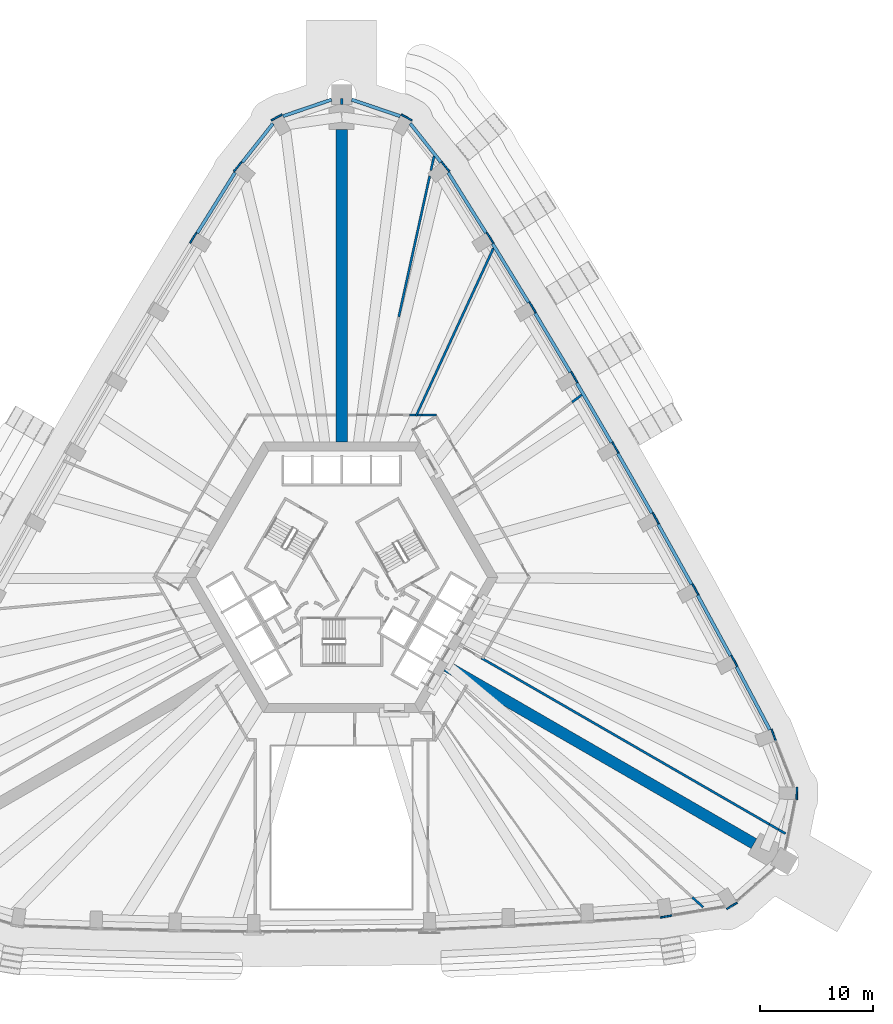
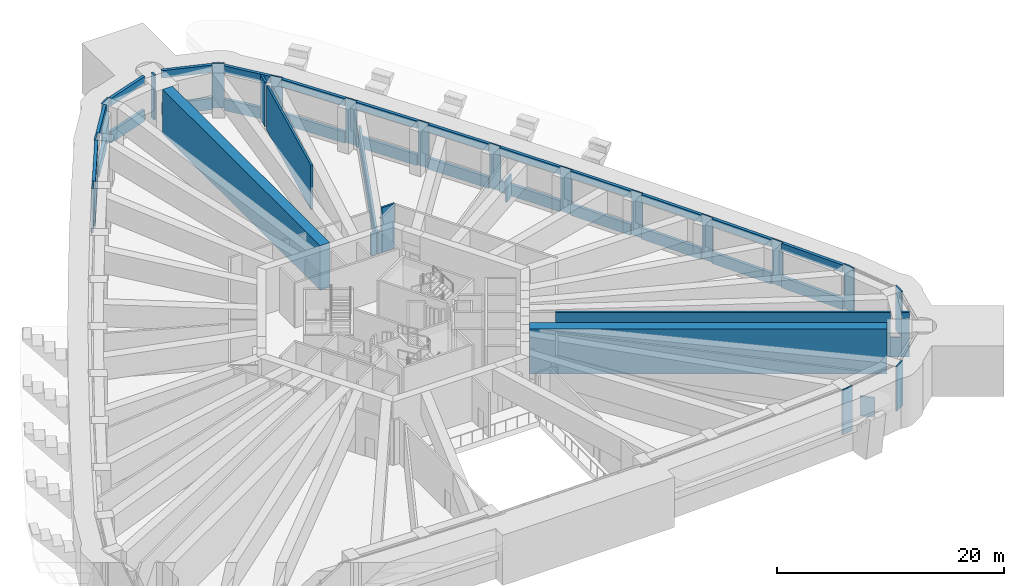
# One storey, part 13 of 22: 56 walls.
"""IFC4 building model written with IfcOpenShell, lengths in metres."""

import ifcopenshell
import ifcopenshell.guid

model = None  # the IFC model being written
_history = None  # IfcOwnerHistory: only IFC2X3 demands one
_inside = {}  # id of a spatial element -> (the spatial element, [elements in it])
_under = {}  # id of a project, library or spatial element -> (it, [spatial elements below it])
_declared = {}  # id of a project -> (the project, [libraries it declares])
_typed = {}  # id of a type object -> (the type object, [elements of that type])
_made_of = {}  # id of a material, layer set ... -> (it, [elements and type objects made of it])


def new_model(schema):
    """Start an empty IFC model of exactly this schema.

    Asked for "IFC4X3", IfcOpenShell would pick the latest addendum, in which some entities
    have other attributes; the version numbers below select the first issue.
    IFC2X3 requires an IfcOwnerHistory on every rooted entity: one is made here for all.
    """
    global model, _history
    if schema == "IFC4X3":
        model = ifcopenshell.file(schema_version=(4, 3, 0, 0))
    else:
        model = ifcopenshell.file(schema=schema)
    _inside.clear()
    _under.clear()
    _declared.clear()
    _typed.clear()
    _made_of.clear()
    _history = None
    if model.schema == "IFC2X3":
        org = make("IfcOrganization", Name="unknown")
        user = make(
            "IfcPersonAndOrganization",
            ThePerson=make("IfcPerson", FamilyName="unknown"),
            TheOrganization=org,
        )
        app = make(
            "IfcApplication",
            ApplicationDeveloper=org,
            Version="unknown",
            ApplicationFullName="unknown",
            ApplicationIdentifier="unknown",
        )
        _history = make(
            "IfcOwnerHistory",
            OwningUser=user,
            OwningApplication=app,
            ChangeAction="ADDED",
            CreationDate=0,
        )
    return model


def make(cls, **values):
    """One entity of the class cls with the attributes given. An attribute that is None is left unset."""
    return model.create_entity(
        cls, **{name: value for name, value in values.items() if value is not None}
    )


def rooted(cls, **values):
    """An entity with a GlobalId (a new one), such as an element, a storey or a relation."""
    return make(cls, GlobalId=ifcopenshell.guid.new(), OwnerHistory=_history, **values)


def si_unit(unit_type, name, prefix=None):
    """IfcSIUnit, for example si_unit("LENGTHUNIT", "METRE", prefix="MILLI")."""
    return make("IfcSIUnit", UnitType=unit_type, Prefix=prefix, Name=name)


def assignment(units):
    """IfcUnitAssignment: the units of a project."""
    return None if units is None else make("IfcUnitAssignment", Units=units)


def point(xyz):
    """IfcCartesianPoint."""
    return None if xyz is None else make("IfcCartesianPoint", Coordinates=xyz)


def direction(xyz):
    """IfcDirection."""
    return None if xyz is None else make("IfcDirection", DirectionRatios=xyz)


def frame(location, z_axis=None, x_axis=None):
    """IfcAxis2Placement3D, a coordinate frame: its origin and axes. An axis left out is left unset."""
    return make(
        "IfcAxis2Placement3D",
        Location=point(location),
        Axis=direction(z_axis),
        RefDirection=direction(x_axis),
    )


def frame_2d(location, x_axis=None):
    """IfcAxis2Placement2D, a coordinate frame in the plane: its origin and x axis."""
    return make(
        "IfcAxis2Placement2D", Location=point(location), RefDirection=direction(x_axis)
    )


def origin():
    """The frame at (0, 0, 0) with its axes left unset."""
    return frame((0.0, 0.0, 0.0))


def place(relative_to, where):
    """IfcLocalPlacement: puts the frame where relative to a parent placement (None: the world)."""
    return make(
        "IfcLocalPlacement", PlacementRelTo=relative_to, RelativePlacement=where
    )


def context(
    kind, dimensions, precision=None, world=None, true_north=None, identifier=None
):
    """IfcGeometricRepresentationContext, for example the 3D "Model" context."""
    return make(
        "IfcGeometricRepresentationContext",
        ContextIdentifier=identifier,
        ContextType=kind,
        CoordinateSpaceDimension=dimensions,
        Precision=precision,
        WorldCoordinateSystem=world,
        TrueNorth=true_north,
    )


def subcontext(parent, identifier, kind, view, scale=None):
    """IfcGeometricRepresentationSubContext, for example "Body" below "Model"."""
    return make(
        "IfcGeometricRepresentationSubContext",
        ContextIdentifier=identifier,
        ContextType=kind,
        ParentContext=parent,
        TargetScale=scale,
        TargetView=view,
    )


def project(units=None, contexts=None):
    """IfcProject with its units and contexts."""
    return rooted(
        "IfcProject",
        Name="project",
        RepresentationContexts=contexts,
        UnitsInContext=assignment(units),
    )


def spatial(cls, under=None, at=None, **own):
    """A site, building, storey or space (cls), placed at a placement, below another one or the project."""
    s = rooted(cls, ObjectPlacement=at, **own)
    if under is not None:
        _under.setdefault(under.id(), (under, []))[1].append(s)
    return s


def profile(cls, at=None, kind="AREA", **sizes):
    """A parametric profile (cls). Its sizes go by their IFC names, for example OverallWidth=200.0."""
    return make(cls, ProfileType=kind, Position=at, **sizes)


def rectangle(**sizes):
    """IfcRectangleProfileDef."""
    return profile("IfcRectangleProfileDef", **sizes)


def extrude(swept, where, along, depth):
    """IfcExtrudedAreaSolid: the profile swept, set in the frame where, extruded along a direction by depth."""
    return make(
        "IfcExtrudedAreaSolid",
        SweptArea=swept,
        Position=where,
        ExtrudedDirection=direction(along),
        Depth=depth,
    )


def shape(context_of_items, identifier, shape_type, items):
    """IfcShapeRepresentation: the items that make up one representation, for example the "Body"."""
    return make(
        "IfcShapeRepresentation",
        ContextOfItems=context_of_items,
        RepresentationIdentifier=identifier,
        RepresentationType=shape_type,
        Items=items,
    )


def material(Name=None, Category=None):
    """IfcMaterial."""
    return make("IfcMaterial", Name=Name, Category=Category)


def layer(
    of_material, thickness, ventilated=None, Name=None, Category=None, Priority=None
):
    """IfcMaterialLayer: one layer of a wall or slab, of a material (None: an air gap)."""
    return make(
        "IfcMaterialLayer",
        Material=of_material,
        LayerThickness=thickness,
        IsVentilated=ventilated,
        Name=Name,
        Category=Category,
        Priority=Priority,
    )


def layer_set(layers, Name=None):
    """IfcMaterialLayerSet."""
    return make("IfcMaterialLayerSet", MaterialLayers=layers, LayerSetName=Name)


def made_of(thing, what):
    """Note that an element or type object is made of a material, layer set ...; save() writes the relation."""
    if what is not None:
        _made_of.setdefault(what.id(), (what, []))[1].append(thing)
    return thing


def type_object(cls, material=None, **own):
    """A type object (cls), such as IfcWallType, which elements share."""
    return made_of(rooted(cls, **own), material)


def element(
    cls,
    number,
    at=None,
    inside=None,
    cuts=None,
    type_object=None,
    material=None,
    context=None,
    identifier="Body",
    shape_type=None,
    held_by="IfcProductDefinitionShape",
    body=None,
    shapes=None,
    **own,
):
    """One element of the class cls, such as IfcWall. Its Tag is "e" and its number.

    at: its placement. inside: the storey or other place that contains it. cuts: it is an
    opening in that element (IfcRelVoidsElement). A single representation is given by context,
    identifier, shape_type and body (its items); several are given by shapes. held_by: the class
    of the entity that holds the representations. save() writes the other relations.
    """
    e = rooted(cls, Tag="e%d" % number, ObjectPlacement=at, **own)
    if body is not None:
        shapes = [shape(context, identifier, shape_type, body)]
    if shapes is not None:
        e.Representation = make(held_by, Representations=shapes)
    if inside is not None:
        _inside.setdefault(inside.id(), (inside, []))[1].append(e)
    if cuts is not None:
        rooted(
            "IfcRelVoidsElement", RelatingBuildingElement=cuts, RelatedOpeningElement=e
        )
    if type_object is not None:
        _typed.setdefault(type_object.id(), (type_object, []))[1].append(e)
    return made_of(e, material)


def aggregate(whole, parts):
    """IfcRelAggregates: a whole, such as a stair, and the parts it consists of."""
    return rooted("IfcRelAggregates", RelatingObject=whole, RelatedObjects=parts)


def save(model, path):
    """Write the relations noted so far, then the file.

    IfcRelAggregates (storeys below a building ...), IfcRelContainedInSpatialStructure (elements
    in a storey), IfcRelDefinesByType, IfcRelAssociatesMaterial and IfcRelDeclares: one each for
    every whole, place, type object, material and project.
    """
    for whole, parts in _under.values():
        aggregate(whole, parts)
    for where, things in _inside.values():
        rooted(
            "IfcRelContainedInSpatialStructure",
            RelatedElements=things,
            RelatingStructure=where,
        )
    for kind, things in _typed.values():
        rooted("IfcRelDefinesByType", RelatedObjects=things, RelatingType=kind)
    for what, things in _made_of.values():
        rooted("IfcRelAssociatesMaterial", RelatedObjects=things, RelatingMaterial=what)
    for by, libraries in _declared.values():
        rooted("IfcRelDeclares", RelatingContext=by, RelatedDefinitions=libraries)
    model.write(path)


model = new_model("IFC4")

# Units and contexts
model_context = context("Model", 3, precision=1e-05, world=origin(), true_north=direction((0.0, 1.0)))
body_context = subcontext(model_context, "Body", "Model", "MODEL_VIEW")
ifc_project = project(units=[si_unit("LENGTHUNIT", "METRE"), si_unit("AREAUNIT", "SQUARE_METRE"), si_unit("VOLUMEUNIT", "CUBIC_METRE"), si_unit("PLANEANGLEUNIT", "RADIAN"), si_unit("MASSUNIT", "GRAM", prefix="KILO")], contexts=[model_context])

# Site, building, storey
site_placement = place(None, origin())
site = spatial("IfcSite", under=ifc_project, at=site_placement, CompositionType="ELEMENT")
building_placement = place(site_placement, origin())
building = spatial("IfcBuilding", under=site, at=building_placement, Name="Entoto Arch Interchange Tower", CompositionType="ELEMENT")
storey_placement = place(building_placement, frame((0.0, 0.0, 132.800048828125)))
storey = spatial("IfcBuildingStorey", under=building, at=storey_placement, Name="L29", CompositionType="ELEMENT", Elevation=132.800048828125)

# Walls
ifc_material_1 = material(Name="Concrete C60/75", Category="concrete")
ifc_layer_1 = layer(ifc_material_1, 1.0)
ifc_layer_set_1 = layer_set([ifc_layer_1], Name="Concrete C60/75")
wall_type_1 = type_object("IfcWallType", Name="Outrigger wall 1000 C60/75", PredefinedType="SHEAR", material=ifc_layer_set_1)
wall_1_placement = place(storey_placement, frame((9.31005859375, -5.375, 0.0), z_axis=(0.0, 0.0, 1.0), x_axis=(0.86602173752, -0.500006350103, 0.0)))
element("IfcWall", 1, at=wall_1_placement, inside=storey, type_object=wall_type_1, Name="Outrigger wall SE L29", PredefinedType="SHEAR", context=body_context, shape_type="SweptSolid", body=[
    extrude(rectangle(XDim=31.46337890625, YDim=1.0, at=frame_2d((15.731689453125, 0.0))), origin(), (0.0, 0.0, 1.0), 4.800048828125),
])
wall_2_placement = place(storey_placement, frame((0.0, 14.5, 0.0), z_axis=(0.0, 0.0, 1.0), x_axis=(0.0, 1.0, 0.0)))
element("IfcWall", 2, at=wall_2_placement, inside=storey, type_object=wall_type_1, Name="Outrigger wall N L29", PredefinedType="SHEAR", context=body_context, shape_type="SweptSolid", body=[
    extrude(rectangle(XDim=27.714111328125, YDim=1.0, at=frame_2d((13.85693359375, 0.0))), origin(), (0.0, 0.0, 1.0), 4.800048828125),
])
ifc_material_2 = material(Name="Gypsum board partition on steel studs", Category="steel")
ifc_layer_2 = layer(ifc_material_2, 0.199951171875)
ifc_layer_set_2 = layer_set([ifc_layer_2], Name="Gypsum board partition on steel studs")
wall_type_2 = type_object("IfcWallType", Name="PARTITION 200", PredefinedType="PARTITIONING", material=ifc_layer_set_2)
wall_3_placement = place(storey_placement, frame((12.384033203125, -4.64990234375, 0.0), z_axis=(0.0, 0.0, 1.0), x_axis=(0.866033509011, -0.499985961072, 0.0)))
element("IfcWall", 3, at=wall_3_placement, inside=storey, type_object=wall_type_2, Name="wall:L29:p047", PredefinedType="PARTITIONING", context=body_context, shape_type="SweptSolid", body=[
    extrude(rectangle(XDim=29.487060546875, YDim=0.199951171875, at=frame_2d((14.74365234375, 0.0))), origin(), (0.0, 0.0, 1.0), 4.800048828125),
])
wall_4_placement = place(storey_placement, frame((6.740966796875, 16.89990234375, 0.0), z_axis=(0.0, 0.0, 1.0), x_axis=(1.0, 0.0, 0.0)))
element("IfcWall", 4, at=wall_4_placement, inside=storey, type_object=wall_type_2, Name="wall:L29:p054", PredefinedType="PARTITIONING", context=body_context, shape_type="SweptSolid", body=[
    extrude(rectangle(XDim=0.367919921875, YDim=0.199951171875, at=frame_2d((0.18408203125, 0.0))), origin(), (0.0, 0.0, 1.0), 2.39990234375),
])
wall_5_placement = place(storey_placement, frame((21.283935546875, 18.679931640625, 0.0), z_axis=(0.0, 0.0, 1.0), x_axis=(-0.795986361327, -0.605314556723, 0.0)))
element("IfcWall", 5, at=wall_5_placement, inside=storey, type_object=wall_type_2, Name="wall:L29:p057", PredefinedType="PARTITIONING", context=body_context, shape_type="SweptSolid", body=[
    extrude(rectangle(XDim=1.0703125, YDim=0.199951171875, at=frame_2d((0.53515625, 0.0))), origin(), (0.0, 0.0, 1.0), 2.39990234375),
])
wall_6_placement = place(storey_placement, frame((6.59912109375, 16.80908203125, 0.0), z_axis=(0.0, 0.0, 1.0), x_axis=(0.418797177025, 0.908079800742, 0.0)))
element("IfcWall", 6, at=wall_6_placement, inside=storey, type_object=wall_type_2, Name="wall:L29:p058", PredefinedType="PARTITIONING", context=body_context, shape_type="SweptSolid", body=[
    extrude(rectangle(XDim=16.372802734375, YDim=0.199951171875, at=frame_2d((8.1865234375, 0.0))), origin(), (0.0, 0.0, 1.0), 2.39990234375),
])
wall_7_placement = place(storey_placement, frame((7.91796875, 38.576904296875, 0.0), z_axis=(0.0, 0.0, 1.0), x_axis=(0.214611118288, 0.976699579148, 0.0)))
element("IfcWall", 7, at=wall_7_placement, inside=storey, type_object=wall_type_2, Name="wall:L29:p060", PredefinedType="PARTITIONING", context=body_context, shape_type="SweptSolid", body=[
    extrude(rectangle(XDim=1.281982421875, YDim=0.199951171875, at=frame_2d((0.64111328125, 0.0))), origin(), (0.0, 0.0, 1.0), 4.800048828125),
])
wall_8_placement = place(storey_placement, frame((0.0, 44.43408203125, 0.0), z_axis=(0.0, 0.0, 1.0), x_axis=(0.0, 1.0, 0.0)))
element("IfcWall", 8, at=wall_8_placement, inside=storey, type_object=wall_type_2, Name="wall:L29:p061", PredefinedType="PARTITIONING", context=body_context, shape_type="SweptSolid", body=[
    extrude(rectangle(XDim=0.5, YDim=0.199951171875, at=frame_2d((0.25, 0.0))), origin(), (0.0, 0.0, 1.0), 4.800048828125),
])
wall_9_placement = place(storey_placement, frame((31.090087890625, -25.867919921875, 0.0), z_axis=(0.0, 0.0, 1.0), x_axis=(0.738829774286, -0.673892101622, 0.0)))
element("IfcWall", 9, at=wall_9_placement, inside=storey, type_object=wall_type_2, Name="wall:L29:p045", PredefinedType="PARTITIONING", context=body_context, shape_type="SweptSolid", body=[
    extrude(rectangle(XDim=1.3046875, YDim=0.199951171875, at=frame_2d((0.65234375, 0.0))), origin(), (0.0, 0.0, 1.0), 2.099853515625),
])
wall_10_placement = place(storey_placement, frame((37.9208984375, -19.39306640625, 0.0), z_axis=(0.0, 0.0, 1.0), x_axis=(0.865942754999, -0.50014312458, 0.0)))
element("IfcWall", 10, at=wall_10_placement, inside=storey, type_object=wall_type_2, Name="wall:L29:p047", PredefinedType="PARTITIONING", context=body_context, shape_type="SweptSolid", body=[
    extrude(rectangle(XDim=0.937744140625, YDim=0.199951171875, at=frame_2d((0.46875, 0.0))), origin(), (0.0, 0.0, 1.0), 2.099853515625),
])
wall_11_placement = place(storey_placement, frame((38.73291015625, -19.862060546875, 0.0), z_axis=(0.0, 0.0, 1.0), x_axis=(0.866027848477, -0.499995765644, 0.0)))
element("IfcWall", 11, at=wall_11_placement, inside=storey, type_object=wall_type_2, Name="wall:L29:p047", PredefinedType="PARTITIONING", context=body_context, shape_type="SweptSolid", body=[
    extrude(rectangle(XDim=0.7216796875, YDim=0.199951171875, at=frame_2d((0.36083984375, 0.0))), origin(), (0.0, 0.0, 1.0), 4.800048828125),
])
wall_12_placement = place(storey_placement, frame((7.10888671875, 16.89990234375, 0.0), z_axis=(0.0, 0.0, 1.0), x_axis=(1.0, 0.0, 0.0)))
element("IfcWall", 12, at=wall_12_placement, inside=storey, type_object=wall_type_2, Name="wall:L29:p054", PredefinedType="PARTITIONING", context=body_context, shape_type="SweptSolid", body=[
    extrude(rectangle(XDim=1.30517578125, YDim=0.199951171875, at=frame_2d((0.652587890625, 0.0))), origin(), (0.0, 0.0, 1.0), 4.800048828125),
])
wall_13_placement = place(storey_placement, frame((6.029052734375, 16.89990234375, 0.0), z_axis=(0.0, 0.0, 1.0), x_axis=(1.0, 0.0, 0.0)))
element("IfcWall", 13, at=wall_13_placement, inside=storey, type_object=wall_type_2, Name="wall:L29:p055", PredefinedType="PARTITIONING", context=body_context, shape_type="SweptSolid", body=[
    extrude(rectangle(XDim=0.511962890625, YDim=0.199951171875, at=frame_2d((0.255859375, 0.0))), origin(), (0.0, 0.0, 1.0), 2.39990234375),
])
wall_14_placement = place(storey_placement, frame((5.070068359375, 25.60205078125, 0.0), z_axis=(0.0, 0.0, 1.0), x_axis=(0.214352205631, 0.976756434297, 0.0)))
element("IfcWall", 14, at=wall_14_placement, inside=storey, type_object=wall_type_2, Name="wall:L29:p059", PredefinedType="PARTITIONING", context=body_context, shape_type="SweptSolid", body=[
    extrude(rectangle(XDim=12.787109375, YDim=0.199951171875, at=frame_2d((6.3935546875, 0.0))), origin(), (0.0, 0.0, 1.0), 4.800048828125),
])
ifc_material_3 = material(Name="Board-marked precast concrete C50/60", Category="concrete")
ifc_layer_3 = layer(ifc_material_3, 0.14990234375)
ifc_layer_set_3 = layer_set([ifc_layer_3], Name="Board-marked precast concrete C50/60")
wall_type_3 = type_object("IfcWallType", Name="PRECAST FRAME WALL 150", PredefinedType="STANDARD", material=ifc_layer_set_3)
for number, where, z_axis, x_axis, name in (
    (15, (6.243896484375, 43.010986328125, 0.0), (0.0, 0.0, 1.0), (-0.877411985247, 0.479737645119, 0.0), "Frame pier N1 L29"),
    (16, (-5.278076171875, 43.5390625, 0.0), (0.0, 0.0, 1.0), (-0.877411985247, -0.479737645119, 0.0), "Frame pier N3 L29"),
):
    element("IfcWall", number, at=place(storey_placement, frame(where, z_axis=z_axis, x_axis=x_axis)), inside=storey, type_object=wall_type_3, Name=name, PredefinedType="STANDARD", context=body_context, shape_type="SweptSolid", body=[
        extrude(rectangle(XDim=1.100830078125, YDim=0.14990234375, at=frame_2d((0.55029296875, 0.0))), origin(), (0.0, 0.0, 1.0), 4.800048828125),
    ])
wall_15_placement = place(storey_placement, frame((38.489990234375, -11.9951171875, 0.0), z_axis=(0.0, 0.0, 1.0), x_axis=(-0.347133743566, 0.937815634375, 0.0)))
element("IfcWall", 17, at=wall_15_placement, inside=storey, type_object=wall_type_3, Name="Frame pier NE01 L29", PredefinedType="STANDARD", context=body_context, shape_type="SweptSolid", body=[
    extrude(rectangle(XDim=1.1005859375, YDim=0.14990234375, at=frame_2d((0.55029296875, 0.0))), origin(), (0.0, 0.0, 1.0), 4.800048828125),
])
wall_16_placement = place(storey_placement, frame((35.068115234375, -5.39111328125, 0.0), z_axis=(0.0, 0.0, 1.0), x_axis=(-0.469274244365, 0.883052480646, 0.0)))
element("IfcWall", 18, at=wall_16_placement, inside=storey, type_object=wall_type_3, Name="Frame pier NE02 L29", PredefinedType="STANDARD", context=body_context, shape_type="SweptSolid", body=[
    extrude(rectangle(XDim=1.099853515625, YDim=0.14990234375, at=frame_2d((0.5498046875, 0.0))), origin(), (0.0, 0.0, 1.0), 4.800048828125),
])
wall_17_placement = place(storey_placement, frame((31.625, 0.952880859375, 0.0), z_axis=(0.0, 0.0, 1.0), x_axis=(-0.479644301902, 0.877463015547, 0.0)))
element("IfcWall", 19, at=wall_17_placement, inside=storey, type_object=wall_type_3, Name="Frame pier NE03 L29", PredefinedType="STANDARD", context=body_context, shape_type="SweptSolid", body=[
    extrude(rectangle(XDim=1.10107421875, YDim=0.14990234375, at=frame_2d((0.550537109375, 0.0))), origin(), (0.0, 0.0, 1.0), 4.800048828125),
])
wall_18_placement = place(storey_placement, frame((28.116943359375, 7.262939453125, 0.0), z_axis=(0.0, 0.0, 1.0), x_axis=(-0.490008344094, 0.871717742574, 0.0)))
element("IfcWall", 20, at=wall_18_placement, inside=storey, type_object=wall_type_3, Name="Frame pier NE04 L29", PredefinedType="STANDARD", context=body_context, shape_type="SweptSolid", body=[
    extrude(rectangle(XDim=1.10009765625, YDim=0.14990234375, at=frame_2d((0.550048828125, 0.0))), origin(), (0.0, 0.0, 1.0), 4.800048828125),
])
wall_19_placement = place(storey_placement, frame((24.544921875, 13.535888671875, 0.0), z_axis=(0.0, 0.0, 1.0), x_axis=(-0.499671230855, 0.86621513555, 0.0)))
element("IfcWall", 21, at=wall_19_placement, inside=storey, type_object=wall_type_3, Name="Frame pier NE05 L29", PredefinedType="STANDARD", context=body_context, shape_type="SweptSolid", body=[
    extrude(rectangle(XDim=1.100341796875, YDim=0.14990234375, at=frame_2d((0.55029296875, 0.0))), origin(), (0.0, 0.0, 1.0), 4.800048828125),
])
wall_20_placement = place(storey_placement, frame((20.909912109375, 19.77294921875, 0.0), z_axis=(0.0, 0.0, 1.0), x_axis=(-0.509918002375, 0.860223012279, 0.0)))
element("IfcWall", 22, at=wall_20_placement, inside=storey, type_object=wall_type_3, Name="Frame pier NE06 L29", PredefinedType="STANDARD", context=body_context, shape_type="SweptSolid", body=[
    extrude(rectangle(XDim=1.099853515625, YDim=0.14990234375, at=frame_2d((0.5498046875, 0.0))), origin(), (0.0, 0.0, 1.0), 4.800048828125),
])
wall_21_placement = place(storey_placement, frame((17.2109375, 25.970947265625, 0.0), z_axis=(0.0, 0.0, 1.0), x_axis=(-0.519869515594, 0.854245682901, 0.0)))
element("IfcWall", 23, at=wall_21_placement, inside=storey, type_object=wall_type_3, Name="Frame pier NE07 L29", PredefinedType="STANDARD", context=body_context, shape_type="SweptSolid", body=[
    extrude(rectangle(XDim=1.100341796875, YDim=0.14990234375, at=frame_2d((0.55029296875, 0.0))), origin(), (0.0, 0.0, 1.0), 4.800048828125),
])
wall_22_placement = place(storey_placement, frame((13.447998046875, 32.133056640625, 0.0), z_axis=(0.0, 0.0, 1.0), x_axis=(-0.52997899071, 0.848010771987, 0.0)))
element("IfcWall", 24, at=wall_22_placement, inside=storey, type_object=wall_type_3, Name="Frame pier NE08 L29", PredefinedType="STANDARD", context=body_context, shape_type="SweptSolid", body=[
    extrude(rectangle(XDim=1.10009765625, YDim=0.14990234375, at=frame_2d((0.550048828125, 0.0))), origin(), (0.0, 0.0, 1.0), 4.800048828125),
])
for number, where, z_axis, x_axis, name in (
    (25, (9.55908203125, 38.48388671875, 0.0), (0.0, 0.0, 1.0), (-0.638566874111, 0.769566337159, 0.0), "Frame pier NE09 L29"),
    (26, (-8.85693359375, 39.330078125, 0.0), (0.0, 0.0, 1.0), (-0.638566874111, -0.769566337159, 0.0), "Frame pier NW01 L29"),
):
    element("IfcWall", number, at=place(storey_placement, frame(where, z_axis=z_axis, x_axis=x_axis)), inside=storey, type_object=wall_type_3, Name=name, PredefinedType="STANDARD", context=body_context, shape_type="SweptSolid", body=[
        extrude(rectangle(XDim=1.099609375, YDim=0.14990234375, at=frame_2d((0.5498046875, 0.0))), origin(), (0.0, 0.0, 1.0), 4.800048828125),
    ])
wall_23_placement = place(storey_placement, frame((-12.864990234375, 33.06591796875, 0.0), z_axis=(0.0, 0.0, 1.0), x_axis=(-0.52997899071, -0.848010771987, 0.0)))
element("IfcWall", 27, at=wall_23_placement, inside=storey, type_object=wall_type_3, Name="Frame pier NW02 L29", PredefinedType="STANDARD", context=body_context, shape_type="SweptSolid", body=[
    extrude(rectangle(XDim=1.10009765625, YDim=0.14990234375, at=frame_2d((0.550048828125, 0.0))), origin(), (0.0, 0.0, 1.0), 4.800048828125),
])
wall_24_placement = place(storey_placement, frame((28.22900390625, -27.6630859375, 0.0), z_axis=(0.0, 0.0, 1.0), x_axis=(0.985763338892, 0.168138751323, 0.0)))
element("IfcWall", 28, at=wall_24_placement, inside=storey, type_object=wall_type_3, Name="Frame pier S08 L29", PredefinedType="STANDARD", context=body_context, shape_type="SweptSolid", body=[
    extrude(rectangle(XDim=1.1005859375, YDim=0.14990234375, at=frame_2d((0.55029296875, 0.0))), origin(), (0.0, 0.0, 1.0), 4.800048828125),
])
wall_25_placement = place(storey_placement, frame((34.126953125, -26.9130859375, 0.0), z_axis=(0.0, 0.0, 1.0), x_axis=(0.854245682901, 0.519869515594, 0.0)))
element("IfcWall", 29, at=wall_25_placement, inside=storey, type_object=wall_type_3, Name="Frame pier SE1 L29", PredefinedType="STANDARD", context=body_context, shape_type="SweptSolid", body=[
    extrude(rectangle(XDim=1.100341796875, YDim=0.14990234375, at=frame_2d((0.55029296875, 0.0))), origin(), (0.0, 0.0, 1.0), 4.800048828125),
])
wall_26_placement = place(storey_placement, frame((40.345947265625, -17.198974609375, 0.0), z_axis=(0.0, 0.0, 1.0), x_axis=(0.023744690764, 0.999718055084, 0.0)))
element("IfcWall", 30, at=wall_26_placement, inside=storey, type_object=wall_type_3, Name="Frame pier SE3 L29", PredefinedType="STANDARD", context=body_context, shape_type="SweptSolid", body=[
    extrude(rectangle(XDim=1.10009765625, YDim=0.14990234375, at=frame_2d((0.550048828125, 0.0))), origin(), (0.0, 0.0, 1.0), 4.800048828125),
])
ifc_layer_4 = layer(ifc_material_3, 0.300048828125)
ifc_layer_set_4 = layer_set([ifc_layer_4], Name="Board-marked precast concrete C50/60")
wall_type_4 = type_object("IfcWallType", Name="PRECAST FRAME WALL 300", PredefinedType="STANDARD", material=ifc_layer_set_4)
wall_27_placement = place(storey_placement, frame((37.967041015625, -11.01611328125, 0.0), z_axis=(0.0, 0.0, 1.0), x_axis=(-0.468639020107, 0.88338976043, 0.0)))
element("IfcWall", 31, at=wall_27_placement, inside=storey, type_object=wall_type_4, Name="Frame sill wall NE-01 L29", PredefinedType="STANDARD", context=body_context, shape_type="SweptSolid", body=[
    extrude(rectangle(XDim=6.3291015625, YDim=0.300048828125, at=frame_2d((3.16455078125, 0.0))), origin(), (0.0, 0.0, 1.0), 1.199951171875),
])
wall_28_placement = place(storey_placement, frame((37.967041015625, -11.01611328125, 4.0), z_axis=(0.0, 0.0, 1.0), x_axis=(-0.468639020107, 0.88338976043, 0.0)))
element("IfcWall", 32, at=wall_28_placement, inside=storey, type_object=wall_type_4, Name="Frame head wall NE-01 L29", PredefinedType="STANDARD", context=body_context, shape_type="SweptSolid", body=[
    extrude(rectangle(XDim=6.3291015625, YDim=0.300048828125, at=frame_2d((3.16455078125, 0.0))), origin(), (0.0, 0.0, 1.0), 0.800048828125),
])
wall_29_placement = place(storey_placement, frame((34.48095703125, -4.4580078125, 0.0), z_axis=(0.0, 0.0, 1.0), x_axis=(-0.477655263247, 0.878547351879, 0.0)))
element("IfcWall", 33, at=wall_29_placement, inside=storey, type_object=wall_type_4, Name="Frame sill wall NE-02 L29", PredefinedType="STANDARD", context=body_context, shape_type="SweptSolid", body=[
    extrude(rectangle(XDim=6.119140625, YDim=0.300048828125, at=frame_2d((3.0595703125, 0.0))), origin(), (0.0, 0.0, 1.0), 1.199951171875),
])
wall_30_placement = place(storey_placement, frame((34.48095703125, -4.4580078125, 4.0), z_axis=(0.0, 0.0, 1.0), x_axis=(-0.477655263247, 0.878547351879, 0.0)))
element("IfcWall", 34, at=wall_30_placement, inside=storey, type_object=wall_type_4, Name="Frame head wall NE-02 L29", PredefinedType="STANDARD", context=body_context, shape_type="SweptSolid", body=[
    extrude(rectangle(XDim=6.119140625, YDim=0.300048828125, at=frame_2d((3.0595703125, 0.0))), origin(), (0.0, 0.0, 1.0), 0.800048828125),
])
wall_31_placement = place(storey_placement, frame((31.028076171875, 1.8798828125, 0.0), z_axis=(0.0, 0.0, 1.0), x_axis=(-0.486753473685, 0.873539384261, 0.0)))
element("IfcWall", 35, at=wall_31_placement, inside=storey, type_object=wall_type_4, Name="Frame sill wall NE-03 L29", PredefinedType="STANDARD", context=body_context, shape_type="SweptSolid", body=[
    extrude(rectangle(XDim=6.1201171875, YDim=0.300048828125, at=frame_2d((3.06005859375, 0.0))), origin(), (0.0, 0.0, 1.0), 1.199951171875),
])
wall_32_placement = place(storey_placement, frame((31.028076171875, 1.8798828125, 4.0), z_axis=(0.0, 0.0, 1.0), x_axis=(-0.486753473685, 0.873539384261, 0.0)))
element("IfcWall", 36, at=wall_32_placement, inside=storey, type_object=wall_type_4, Name="Frame head wall NE-03 L29", PredefinedType="STANDARD", context=body_context, shape_type="SweptSolid", body=[
    extrude(rectangle(XDim=6.1201171875, YDim=0.300048828125, at=frame_2d((3.06005859375, 0.0))), origin(), (0.0, 0.0, 1.0), 0.800048828125),
])
wall_33_placement = place(storey_placement, frame((27.510009765625, 8.181884765625, 0.0), z_axis=(0.0, 0.0, 1.0), x_axis=(-0.495541712582, 0.86858414163, 0.0)))
element("IfcWall", 37, at=wall_33_placement, inside=storey, type_object=wall_type_4, Name="Frame sill wall NE-04 L29", PredefinedType="STANDARD", context=body_context, shape_type="SweptSolid", body=[
    extrude(rectangle(XDim=6.12060546875, YDim=0.300048828125, at=frame_2d((3.060302734375, 0.0))), origin(), (0.0, 0.0, 1.0), 1.199951171875),
])
wall_34_placement = place(storey_placement, frame((27.510009765625, 8.181884765625, 4.0), z_axis=(0.0, 0.0, 1.0), x_axis=(-0.495541712582, 0.86858414163, 0.0)))
element("IfcWall", 38, at=wall_34_placement, inside=storey, type_object=wall_type_4, Name="Frame head wall NE-04 L29", PredefinedType="STANDARD", context=body_context, shape_type="SweptSolid", body=[
    extrude(rectangle(XDim=6.12060546875, YDim=0.300048828125, at=frame_2d((3.060302734375, 0.0))), origin(), (0.0, 0.0, 1.0), 0.800048828125),
])
wall_35_placement = place(storey_placement, frame((23.927978515625, 14.448974609375, 0.0), z_axis=(0.0, 0.0, 1.0), x_axis=(-0.504315008855, 0.863519757645, 0.0)))
element("IfcWall", 39, at=wall_35_placement, inside=storey, type_object=wall_type_4, Name="Frame sill wall NE-05 L29", PredefinedType="STANDARD", context=body_context, shape_type="SweptSolid", body=[
    extrude(rectangle(XDim=6.119140625, YDim=0.300048828125, at=frame_2d((3.0595703125, 0.0))), origin(), (0.0, 0.0, 1.0), 1.199951171875),
])
wall_36_placement = place(storey_placement, frame((23.927978515625, 14.448974609375, 4.0), z_axis=(0.0, 0.0, 1.0), x_axis=(-0.504315008855, 0.863519757645, 0.0)))
element("IfcWall", 40, at=wall_36_placement, inside=storey, type_object=wall_type_4, Name="Frame head wall NE-05 L29", PredefinedType="STANDARD", context=body_context, shape_type="SweptSolid", body=[
    extrude(rectangle(XDim=6.119140625, YDim=0.300048828125, at=frame_2d((3.0595703125, 0.0))), origin(), (0.0, 0.0, 1.0), 0.800048828125),
])
wall_37_placement = place(storey_placement, frame((20.282958984375, 20.678955078125, 0.0), z_axis=(0.0, 0.0, 1.0), x_axis=(-0.513139723686, 0.858305087935, 0.0)))
element("IfcWall", 41, at=wall_37_placement, inside=storey, type_object=wall_type_4, Name="Frame sill wall NE-06 L29", PredefinedType="STANDARD", context=body_context, shape_type="SweptSolid", body=[
    extrude(rectangle(XDim=6.118896484375, YDim=0.300048828125, at=frame_2d((3.0595703125, 0.0))), origin(), (0.0, 0.0, 1.0), 1.199951171875),
])
wall_38_placement = place(storey_placement, frame((20.282958984375, 20.678955078125, 4.0), z_axis=(0.0, 0.0, 1.0), x_axis=(-0.513139723686, 0.858305087935, 0.0)))
element("IfcWall", 42, at=wall_38_placement, inside=storey, type_object=wall_type_4, Name="Frame head wall NE-06 L29", PredefinedType="STANDARD", context=body_context, shape_type="SweptSolid", body=[
    extrude(rectangle(XDim=6.118896484375, YDim=0.300048828125, at=frame_2d((3.0595703125, 0.0))), origin(), (0.0, 0.0, 1.0), 0.800048828125),
])
wall_39_placement = place(storey_placement, frame((16.573974609375, 26.8701171875, 0.0), z_axis=(0.0, 0.0, 1.0), x_axis=(-0.521983927326, 0.852955320995, 0.0)))
element("IfcWall", 43, at=wall_39_placement, inside=storey, type_object=wall_type_4, Name="Frame sill wall NE-07 L29", PredefinedType="STANDARD", context=body_context, shape_type="SweptSolid", body=[
    extrude(rectangle(XDim=6.12109375, YDim=0.300048828125, at=frame_2d((3.060546875, 0.0))), origin(), (0.0, 0.0, 1.0), 1.199951171875),
])
wall_40_placement = place(storey_placement, frame((16.573974609375, 26.8701171875, 4.0), z_axis=(0.0, 0.0, 1.0), x_axis=(-0.521983927326, 0.852955320995, 0.0)))
element("IfcWall", 44, at=wall_40_placement, inside=storey, type_object=wall_type_4, Name="Frame head wall NE-07 L29", PredefinedType="STANDARD", context=body_context, shape_type="SweptSolid", body=[
    extrude(rectangle(XDim=6.12109375, YDim=0.300048828125, at=frame_2d((3.060546875, 0.0))), origin(), (0.0, 0.0, 1.0), 0.800048828125),
])
wall_41_placement = place(storey_placement, frame((12.801025390625, 33.02490234375, 0.0), z_axis=(0.0, 0.0, 1.0), x_axis=(-0.530612593955, 0.847614461378, 0.0)))
element("IfcWall", 45, at=wall_41_placement, inside=storey, type_object=wall_type_4, Name="Frame sill wall NE-08 L29", PredefinedType="STANDARD", context=body_context, shape_type="SweptSolid", body=[
    extrude(rectangle(XDim=6.328369140625, YDim=0.300048828125, at=frame_2d((3.1640625, 0.0))), origin(), (0.0, 0.0, 1.0), 1.199951171875),
])
wall_42_placement = place(storey_placement, frame((12.801025390625, 33.02490234375, 4.0), z_axis=(0.0, 0.0, 1.0), x_axis=(-0.530612593955, 0.847614461378, 0.0)))
element("IfcWall", 46, at=wall_42_placement, inside=storey, type_object=wall_type_4, Name="Frame head wall NE-08 L29", PredefinedType="STANDARD", context=body_context, shape_type="SweptSolid", body=[
    extrude(rectangle(XDim=6.328369140625, YDim=0.300048828125, at=frame_2d((3.1640625, 0.0))), origin(), (0.0, 0.0, 1.0), 0.800048828125),
])
wall_43_placement = place(storey_placement, frame((8.81005859375, 39.2900390625, 0.0), z_axis=(0.0, 0.0, 1.0), x_axis=(-0.620374965717, 0.784305362669, 0.0)))
element("IfcWall", 47, at=wall_43_placement, inside=storey, type_object=wall_type_4, Name="Frame sill wall N-01 L29", PredefinedType="STANDARD", context=body_context, shape_type="SweptSolid", body=[
    extrude(rectangle(XDim=4.385986328125, YDim=0.300048828125, at=frame_2d((2.19287109375, 0.0))), origin(), (0.0, 0.0, 1.0), 1.199951171875),
])
wall_44_placement = place(storey_placement, frame((8.81005859375, 39.2900390625, 4.0), z_axis=(0.0, 0.0, 1.0), x_axis=(-0.620374965717, 0.784305362669, 0.0)))
element("IfcWall", 48, at=wall_44_placement, inside=storey, type_object=wall_type_4, Name="Frame head wall N-01 L29", PredefinedType="STANDARD", context=body_context, shape_type="SweptSolid", body=[
    extrude(rectangle(XDim=4.385986328125, YDim=0.300048828125, at=frame_2d((2.19287109375, 0.0))), origin(), (0.0, 0.0, 1.0), 0.800048828125),
])
wall_45_placement = place(storey_placement, frame((5.196044921875, 43.386962890625, 0.0), z_axis=(0.0, 0.0, 1.0), x_axis=(-0.946630704027, 0.322320198241, 0.0)))
element("IfcWall", 49, at=wall_45_placement, inside=storey, type_object=wall_type_4, Name="Frame sill wall N-02 L29", PredefinedType="STANDARD", context=body_context, shape_type="SweptSolid", body=[
    extrude(rectangle(XDim=4.539306640625, YDim=0.300048828125, at=frame_2d((2.26953125, 0.0))), origin(), (0.0, 0.0, 1.0), 1.199951171875),
])
wall_46_placement = place(storey_placement, frame((5.196044921875, 43.386962890625, 4.0), z_axis=(0.0, 0.0, 1.0), x_axis=(-0.946630704027, 0.322320198241, 0.0)))
element("IfcWall", 50, at=wall_46_placement, inside=storey, type_object=wall_type_4, Name="Frame head wall N-02 L29", PredefinedType="STANDARD", context=body_context, shape_type="SweptSolid", body=[
    extrude(rectangle(XDim=4.539306640625, YDim=0.300048828125, at=frame_2d((2.26953125, 0.0))), origin(), (0.0, 0.0, 1.0), 0.800048828125),
])
wall_47_placement = place(storey_placement, frame((-0.89892578125, 44.85009765625, 0.0), z_axis=(0.0, 0.0, 1.0), x_axis=(-0.946630704027, -0.322320198241, 0.0)))
element("IfcWall", 51, at=wall_47_placement, inside=storey, type_object=wall_type_4, Name="Frame sill wall N-03 L29", PredefinedType="STANDARD", context=body_context, shape_type="SweptSolid", body=[
    extrude(rectangle(XDim=4.539306640625, YDim=0.300048828125, at=frame_2d((2.26953125, 0.0))), origin(), (0.0, 0.0, 1.0), 1.199951171875),
])
wall_48_placement = place(storey_placement, frame((-0.89892578125, 44.85009765625, 4.0), z_axis=(0.0, 0.0, 1.0), x_axis=(-0.946630704027, -0.322320198241, 0.0)))
element("IfcWall", 52, at=wall_48_placement, inside=storey, type_object=wall_type_4, Name="Frame head wall N-03 L29", PredefinedType="STANDARD", context=body_context, shape_type="SweptSolid", body=[
    extrude(rectangle(XDim=4.539306640625, YDim=0.300048828125, at=frame_2d((2.26953125, 0.0))), origin(), (0.0, 0.0, 1.0), 0.800048828125),
])
wall_49_placement = place(storey_placement, frame((-6.089111328125, 42.72998046875, 0.0), z_axis=(0.0, 0.0, 1.0), x_axis=(-0.620374965717, -0.784305362669, 0.0)))
element("IfcWall", 53, at=wall_49_placement, inside=storey, type_object=wall_type_4, Name="Frame sill wall N-04 L29", PredefinedType="STANDARD", context=body_context, shape_type="SweptSolid", body=[
    extrude(rectangle(XDim=4.385986328125, YDim=0.300048828125, at=frame_2d((2.19287109375, 0.0))), origin(), (0.0, 0.0, 1.0), 1.199951171875),
])
wall_50_placement = place(storey_placement, frame((-6.089111328125, 42.72998046875, 4.0), z_axis=(0.0, 0.0, 1.0), x_axis=(-0.620374965717, -0.784305362669, 0.0)))
element("IfcWall", 54, at=wall_50_placement, inside=storey, type_object=wall_type_4, Name="Frame head wall N-04 L29", PredefinedType="STANDARD", context=body_context, shape_type="SweptSolid", body=[
    extrude(rectangle(XDim=4.385986328125, YDim=0.300048828125, at=frame_2d((2.19287109375, 0.0))), origin(), (0.0, 0.0, 1.0), 0.800048828125),
])
wall_51_placement = place(storey_placement, frame((-9.443115234375, 38.388916015625, 0.0), z_axis=(0.0, 0.0, 1.0), x_axis=(-0.530612593955, -0.847614461378, 0.0)))
element("IfcWall", 55, at=wall_51_placement, inside=storey, type_object=wall_type_4, Name="Frame sill wall NW-01 L29", PredefinedType="STANDARD", context=body_context, shape_type="SweptSolid", body=[
    extrude(rectangle(XDim=6.328369140625, YDim=0.300048828125, at=frame_2d((3.1640625, 0.0))), origin(), (0.0, 0.0, 1.0), 1.199951171875),
])
wall_52_placement = place(storey_placement, frame((-9.443115234375, 38.388916015625, 4.0), z_axis=(0.0, 0.0, 1.0), x_axis=(-0.530612593955, -0.847614461378, 0.0)))
element("IfcWall", 56, at=wall_52_placement, inside=storey, type_object=wall_type_4, Name="Frame head wall NW-01 L29", PredefinedType="STANDARD", context=body_context, shape_type="SweptSolid", body=[
    extrude(rectangle(XDim=6.328369140625, YDim=0.300048828125, at=frame_2d((3.1640625, 0.0))), origin(), (0.0, 0.0, 1.0), 0.800048828125),
])

save(model, "model.ifc")
